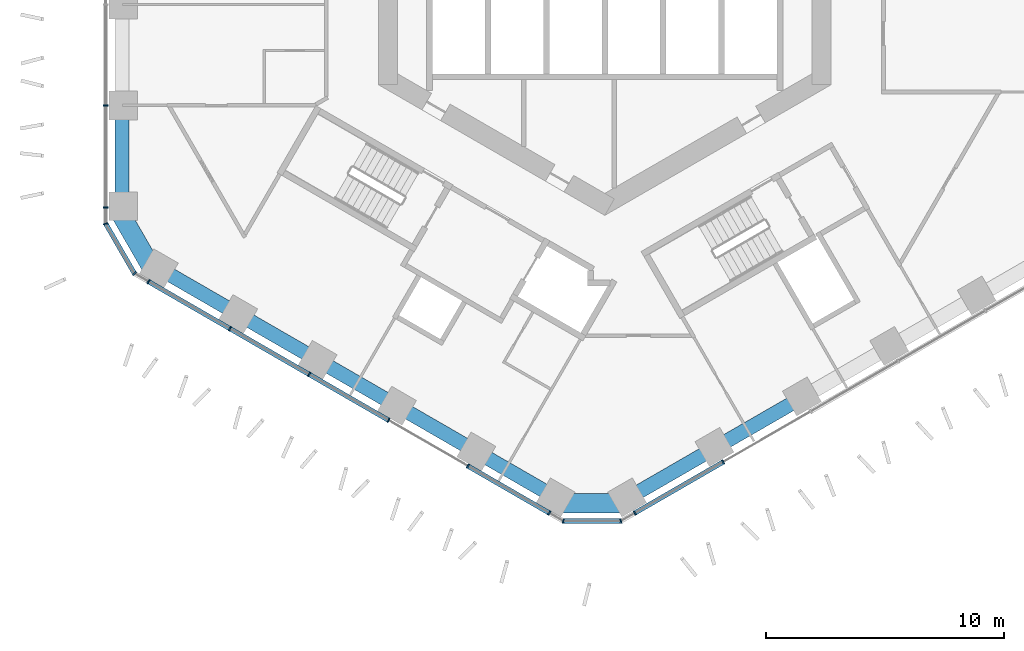
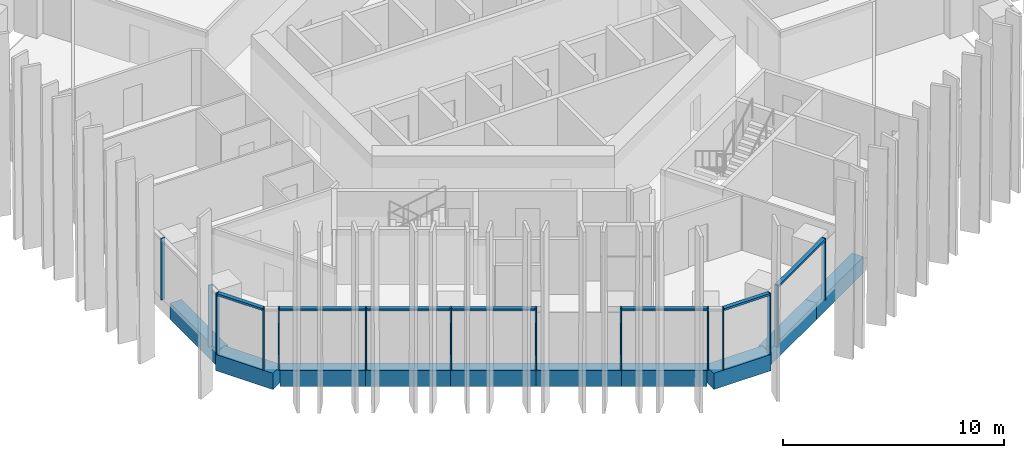
# One storey, part 2 of 19: 19 members, 10 beams, 5 elements without a shape of their own.
"""IFC4 building model written with IfcOpenShell, lengths in metres."""

from ifc_helpers import new_model, si_unit, direction, frame, origin, origin_2d, place, context, subcontext, project, spatial, rectangle, extrude, material, layer, layer_set, material_profile, profile_set, type_object, element, aggregate, save


model = new_model("IFC4")

# Units and contexts
model_context = context("Model", 3, precision=1e-05, world=origin(), true_north=direction((0.0, 1.0)))
body_context = subcontext(model_context, "Body", "Model", "MODEL_VIEW")
ifc_project = project(units=[si_unit("LENGTHUNIT", "METRE"), si_unit("AREAUNIT", "SQUARE_METRE"), si_unit("VOLUMEUNIT", "CUBIC_METRE"), si_unit("PLANEANGLEUNIT", "RADIAN"), si_unit("MASSUNIT", "GRAM", prefix="KILO")], contexts=[model_context])

# Site, building, storey
site_placement = place(None, origin())
site = spatial("IfcSite", under=ifc_project, at=site_placement, CompositionType="ELEMENT")
building_placement = place(site_placement, origin())
building = spatial("IfcBuilding", under=site, at=building_placement, Name="Ayvan Gate Tower", CompositionType="ELEMENT")
storey_placement = place(building_placement, frame((0.0, 0.0, 56.10009765625)))
storey = spatial("IfcBuildingStorey", under=building, at=storey_placement, Name="L14", CompositionType="ELEMENT", Elevation=56.10009765625)

# Beams
ifc_material_1 = material(Name="Concrete C40/50", Category="concrete")
ifc_material_profile_1 = material_profile(ifc_material_1, rectangle(XDim=0.800048828125, YDim=0.89990234375, at=origin_2d()), Name="RC 800x900")
ifc_profile_set_1 = profile_set([ifc_material_profile_1], Name="Concrete C40/50")
beam_type_1 = type_object("IfcBeamType", Name="Corner spandrel beam RC 800x900 C40/50", PredefinedType="BEAM", material=ifc_profile_set_1)
for number, where, z_axis, x_axis, name in (
    (1, (-20.455078125, -10.67822265625, -0.800048828125), (0.499990139034, -0.866031096941, 0.0), (0.866031096941, 0.499990139034, 0.0), "SB-L14-24"),
    (2, (-2.020263671875, -23.0537109375, -0.800048828125), (1.0, 0.0, 0.0), (0.0, 1.0, 0.0), "SB-L14-30"),
):
    element("IfcBeam", number, at=place(storey_placement, frame(where, z_axis=z_axis, x_axis=x_axis)), inside=storey, type_object=beam_type_1, Name=name, PredefinedType="BEAM", context=body_context, shape_type="SweptSolid", body=[
        extrude(rectangle(XDim=0.800048828125, YDim=0.89990234375, at=origin_2d()), origin(), (0.0, 0.0, 1.0), 3.0),
    ])
ifc_material_profile_2 = material_profile(ifc_material_1, rectangle(XDim=0.60009765625, YDim=0.89990234375, at=origin_2d()), Name="RC 600x900")
ifc_profile_set_2 = profile_set([ifc_material_profile_2], Name="Concrete C40/50")
beam_type_2 = type_object("IfcBeamType", Name="Spandrel beam RC 600x900 C40/50", PredefinedType="BEAM", material=ifc_profile_set_2)
beam_1_placement = place(storey_placement, frame((-20.264404296875, -6.341064453125, -0.800048828125), z_axis=(0.0, -1.0, 0.0), x_axis=(1.0, 0.0, 0.0)))
element("IfcBeam", 3, at=beam_1_placement, inside=storey, type_object=beam_type_2, Name="SB-L14-23", PredefinedType="BEAM", context=body_context, shape_type="SweptSolid", body=[
    extrude(rectangle(XDim=0.60009765625, YDim=0.89990234375, at=origin_2d()), origin(), (0.0, 0.0, 1.0), 4.227294921875),
])
for number, where, z_axis, x_axis, name in (
    (4, (-18.764404296875, -13.166259765625, -0.800048828125), (0.866012107475, -0.500023029176, 0.0), (0.500023029176, 0.866012107475, 0.0), "SB-L14-25"),
    (5, (-15.41552734375, -15.099853515625, -0.800048828125), (0.866039445803, -0.499975677722, 0.0), (0.499975677722, 0.866039445803, 0.0), "SB-L14-26"),
    (6, (-12.066650390625, -17.033203125, -0.800048828125), (0.866012107475, -0.500023029176, 0.0), (0.500023029176, 0.866012107475, 0.0), "SB-L14-27"),
    (7, (-8.7177734375, -18.966796875, -0.800048828125), (0.866039445803, -0.499975677722, 0.0), (0.499975677722, 0.866039445803, 0.0), "SB-L14-28"),
):
    element("IfcBeam", number, at=place(storey_placement, frame(where, z_axis=z_axis, x_axis=x_axis)), inside=storey, type_object=beam_type_2, Name=name, PredefinedType="BEAM", context=body_context, shape_type="SweptSolid", body=[
        extrude(rectangle(XDim=0.60009765625, YDim=0.89990234375, at=origin_2d()), origin(), (0.0, 0.0, 1.0), 3.866943359375),
    ])
beam_2_placement = place(storey_placement, frame((-5.368896484375, -20.900146484375, -0.800048828125), z_axis=(0.865996321171, -0.50005036918, 0.0), x_axis=(0.50005036918, 0.865996321171, 0.0)))
element("IfcBeam", 8, at=beam_2_placement, inside=storey, type_object=beam_type_2, Name="SB-L14-29", PredefinedType="BEAM", context=body_context, shape_type="SweptSolid", body=[
    extrude(rectangle(XDim=0.60009765625, YDim=0.89990234375, at=origin_2d()), origin(), (0.0, 0.0, 1.0), 3.86669921875),
])
beam_3_placement = place(storey_placement, frame((0.979736328125, -22.833740234375, -0.800048828125), z_axis=(0.866024019333, 0.500002397932, 0.0), x_axis=(-0.500002397932, 0.866024019333, 0.0)))
element("IfcBeam", 9, at=beam_3_placement, inside=storey, type_object=beam_type_2, Name="SB-L14-31", PredefinedType="BEAM", context=body_context, shape_type="SweptSolid", body=[
    extrude(rectangle(XDim=0.60009765625, YDim=0.89990234375, at=origin_2d()), origin(), (0.0, 0.0, 1.0), 4.2275390625),
])
beam_4_placement = place(storey_placement, frame((4.640869140625, -20.719970703125, -0.800048828125), z_axis=(0.86603458896, 0.499984090472, 0.0), x_axis=(-0.499984090472, 0.86603458896, 0.0)))
element("IfcBeam", 10, at=beam_4_placement, inside=storey, type_object=beam_type_2, Name="SB-L14-32", PredefinedType="BEAM", context=body_context, shape_type="SweptSolid", body=[
    extrude(rectangle(XDim=0.60009765625, YDim=0.89990234375, at=origin_2d()), origin(), (0.0, 0.0, 1.0), 4.227294921875),
])

# Curtain wall, members
ifc_material_2 = material(Name="Bronze anodised aluminium", Category="aluminium")
ifc_layer_1 = layer(ifc_material_2, 0.199951171875)
ifc_layer_set_1 = layer_set([ifc_layer_1], Name="Bronze anodised aluminium")
curtain_wall_type_1 = type_object("IfcCurtainWallType", Name="Stick curtain wall CW-1", PredefinedType="NOTDEFINED", material=ifc_layer_set_1)
curtain_wall_1_placement = place(storey_placement, origin())
curtain_wall_1 = element("IfcCurtainWall", 11, at=curtain_wall_1_placement, inside=storey, type_object=curtain_wall_type_1, Name="Stick curtain wall CW-1 L14", PredefinedType="NOTDEFINED")
ifc_material_profile_3 = material_profile(ifc_material_2, rectangle(XDim=0.199951171875, YDim=0.06005859375, at=origin_2d()), Name="Stick curtain wall CW-1 mullion 200 x 60")
ifc_profile_set_3 = profile_set([ifc_material_profile_3], Name="Bronze anodised aluminium")
member_type_1 = type_object("IfcMemberType", Name="Stick curtain wall CW-1 mullion 200 x 60", PredefinedType="MULLION", material=ifc_profile_set_3)
member_1_placement = place(storey_placement, frame((-20.950439453125, -6.3564453125, 0.0), z_axis=(0.0, 0.0, 1.0), x_axis=(-1.0, 0.0, 0.0)))
member_1 = element("IfcMember", 12, at=member_1_placement, type_object=member_type_1, Name="CW-1 mullion 5", PredefinedType="MULLION", context=body_context, shape_type="SweptSolid", body=[
    extrude(rectangle(XDim=0.199951171875, YDim=0.06005859375, at=origin_2d()), origin(), (0.0, 0.0, 1.0), 3.39990234375),
])
member_2_placement = place(storey_placement, frame((-20.950439453125, -10.638427734375, 0.0), z_axis=(0.0, 0.0, 1.0), x_axis=(-1.0, 0.0, 0.0)))
member_2 = element("IfcMember", 13, at=member_2_placement, type_object=member_type_1, Name="CW-1 mullion 6", PredefinedType="MULLION", context=body_context, shape_type="SweptSolid", body=[
    extrude(rectangle(XDim=0.199951171875, YDim=0.06005859375, at=origin_2d()), origin(), (0.0, 0.0, 1.0), 3.39990234375),
])
aggregate(curtain_wall_1, [member_1, member_2])

curtain_wall_2_placement = place(storey_placement, origin())
curtain_wall_2 = element("IfcCurtainWall", 14, at=curtain_wall_2_placement, inside=storey, type_object=curtain_wall_type_1, Name="Stick curtain wall CW-1 L14", PredefinedType="NOTDEFINED")
member_3_placement = place(storey_placement, frame((-19.154296875, -13.74951171875, 0.0), z_axis=(0.0, 0.0, 1.0), x_axis=(-0.5, -0.866025403784, 0.0)))
member_3 = element("IfcMember", 15, at=member_3_placement, type_object=member_type_1, Name="CW-1 mullion 1", PredefinedType="MULLION", context=body_context, shape_type="SweptSolid", body=[
    extrude(rectangle(XDim=0.199951171875, YDim=0.06005859375, at=origin_2d()), origin(), (0.0, 0.0, 1.0), 3.39990234375),
])
member_4_placement = place(storey_placement, frame((-15.739501953125, -15.720947265625, 0.0), z_axis=(0.0, 0.0, 1.0), x_axis=(-0.5, -0.866025403784, 0.0)))
member_4 = element("IfcMember", 16, at=member_4_placement, type_object=member_type_1, Name="CW-1 mullion 2", PredefinedType="MULLION", context=body_context, shape_type="SweptSolid", body=[
    extrude(rectangle(XDim=0.199951171875, YDim=0.06005859375, at=origin_2d()), origin(), (0.0, 0.0, 1.0), 3.39990234375),
])
member_5_placement = place(storey_placement, frame((-12.407958984375, -17.64453125, 0.0), z_axis=(0.0, 0.0, 1.0), x_axis=(-0.5, -0.866025403784, 0.0)))
member_5 = element("IfcMember", 17, at=member_5_placement, type_object=member_type_1, Name="CW-1 mullion 3", PredefinedType="MULLION", context=body_context, shape_type="SweptSolid", body=[
    extrude(rectangle(XDim=0.199951171875, YDim=0.06005859375, at=origin_2d()), origin(), (0.0, 0.0, 1.0), 3.39990234375),
])
member_6_placement = place(storey_placement, frame((-9.076416015625, -19.568115234375, 0.0), z_axis=(0.0, 0.0, 1.0), x_axis=(-0.5, -0.866025403784, 0.0)))
member_6 = element("IfcMember", 18, at=member_6_placement, type_object=member_type_1, Name="CW-1 mullion 4", PredefinedType="MULLION", context=body_context, shape_type="SweptSolid", body=[
    extrude(rectangle(XDim=0.199951171875, YDim=0.06005859375, at=origin_2d()), origin(), (0.0, 0.0, 1.0), 3.39990234375),
])
member_7_placement = place(storey_placement, frame((-5.744873046875, -21.491455078125, 0.0), z_axis=(0.0, 0.0, 1.0), x_axis=(-0.5, -0.866025403784, 0.0)))
member_7 = element("IfcMember", 19, at=member_7_placement, type_object=member_type_1, Name="CW-1 mullion 5", PredefinedType="MULLION", context=body_context, shape_type="SweptSolid", body=[
    extrude(rectangle(XDim=0.199951171875, YDim=0.06005859375, at=origin_2d()), origin(), (0.0, 0.0, 1.0), 3.39990234375),
])
member_8_placement = place(storey_placement, frame((-2.330322265625, -23.462890625, 0.0), z_axis=(0.0, 0.0, 1.0), x_axis=(-0.5, -0.866025403784, 0.0)))
member_8 = element("IfcMember", 20, at=member_8_placement, type_object=member_type_1, Name="CW-1 mullion 6", PredefinedType="MULLION", context=body_context, shape_type="SweptSolid", body=[
    extrude(rectangle(XDim=0.199951171875, YDim=0.06005859375, at=origin_2d()), origin(), (0.0, 0.0, 1.0), 3.39990234375),
])

curtain_wall_3_placement = place(storey_placement, origin())
curtain_wall_3 = element("IfcCurtainWall", 21, at=curtain_wall_3_placement, inside=storey, type_object=curtain_wall_type_1, Name="Stick curtain wall CW-1 L14", PredefinedType="NOTDEFINED")
member_9_placement = place(storey_placement, frame((1.261962890625, -23.462890625, 0.0), z_axis=(0.0, 0.0, 1.0), x_axis=(0.5, -0.866025403784, 0.0)))
member_9 = element("IfcMember", 22, at=member_9_placement, type_object=member_type_1, Name="CW-1 mullion 1", PredefinedType="MULLION", context=body_context, shape_type="SweptSolid", body=[
    extrude(rectangle(XDim=0.199951171875, YDim=0.06005859375, at=origin_2d()), origin(), (0.0, 0.0, 1.0), 3.39990234375),
])
member_10_placement = place(storey_placement, frame((4.970458984375, -21.32177734375, 0.0), z_axis=(0.0, 0.0, 1.0), x_axis=(0.5, -0.866025403784, 0.0)))
member_10 = element("IfcMember", 23, at=member_10_placement, type_object=member_type_1, Name="CW-1 mullion 2", PredefinedType="MULLION", context=body_context, shape_type="SweptSolid", body=[
    extrude(rectangle(XDim=0.199951171875, YDim=0.06005859375, at=origin_2d()), origin(), (0.0, 0.0, 1.0), 3.39990234375),
])

# Member
ifc_material_profile_4 = material_profile(ifc_material_2, rectangle(XDim=0.199951171875, YDim=0.1201171875, at=origin_2d()), Name="Stick curtain wall CW-1 transom 200 x 120")
ifc_profile_set_4 = profile_set([ifc_material_profile_4], Name="Bronze anodised aluminium")
member_type_2 = type_object("IfcMemberType", Name="Stick curtain wall CW-1 transom 200 x 120", PredefinedType="USERDEFINED", material=ifc_profile_set_4)
member_11_placement = place(storey_placement, frame((-19.154296875, -13.74951171875, 3.33984375), z_axis=(0.866027613664, -0.499996172356, 0.0), x_axis=(0.499996172356, 0.866027613664, 0.0)))
member_11 = element("IfcMember", 24, at=member_11_placement, type_object=member_type_2, Name="CW-1 transom 1", ObjectType="TRANSOM", PredefinedType="USERDEFINED", context=body_context, shape_type="SweptSolid", body=[
    extrude(rectangle(XDim=0.199951171875, YDim=0.1201171875, at=origin_2d()), origin(), (0.0, 0.0, 1.0), 11.60693359375),
])

member_12_placement = place(storey_placement, frame((-5.71875, -21.506591796875, 3.33984375), z_axis=(0.866026603062, -0.499997922785, 0.0), x_axis=(0.499997922785, 0.866026603062, 0.0)))
member_12 = element("IfcMember", 25, at=member_12_placement, type_object=member_type_2, Name="CW-1 transom 2", ObjectType="TRANSOM", PredefinedType="USERDEFINED", context=body_context, shape_type="SweptSolid", body=[
    extrude(rectangle(XDim=0.199951171875, YDim=0.1201171875, at=origin_2d()), origin(), (0.0, 0.0, 1.0), 3.91259765625),
])

aggregate(curtain_wall_2, [member_3, member_4, member_5, member_6, member_7, member_8, member_11, member_12])

member_13_placement = place(storey_placement, frame((1.261962890625, -23.462890625, 3.33984375), z_axis=(0.866029732576, 0.499992502239, 0.0), x_axis=(-0.499992502239, 0.866029732576, 0.0)))
member_13 = element("IfcMember", 26, at=member_13_placement, type_object=member_type_2, Name="CW-1 transom 1", ObjectType="TRANSOM", PredefinedType="USERDEFINED", context=body_context, shape_type="SweptSolid", body=[
    extrude(rectangle(XDim=0.199951171875, YDim=0.1201171875, at=origin_2d()), origin(), (0.0, 0.0, 1.0), 4.251953125),
])

aggregate(curtain_wall_3, [member_9, member_10, member_13])

# Curtain wall, members
ifc_layer_2 = layer(ifc_material_2, 0.199951171875)
ifc_layer_set_2 = layer_set([ifc_layer_2], Name="Bronze anodised aluminium")
curtain_wall_type_2 = type_object("IfcCurtainWallType", Name="Stick curtain wall CW-6", PredefinedType="NOTDEFINED", material=ifc_layer_set_2)
curtain_wall_4_placement = place(storey_placement, origin())
curtain_wall_4 = element("IfcCurtainWall", 27, at=curtain_wall_4_placement, inside=storey, type_object=curtain_wall_type_2, Name="Stick curtain wall CW-6 L14", PredefinedType="NOTDEFINED")
ifc_material_profile_5 = material_profile(ifc_material_2, rectangle(XDim=0.199951171875, YDim=0.050048828125, at=origin_2d()), Name="Stick curtain wall CW-6 mullion 200 x 50")
ifc_profile_set_5 = profile_set([ifc_material_profile_5], Name="Bronze anodised aluminium")
member_type_3 = type_object("IfcMemberType", Name="Stick curtain wall CW-6 mullion 200 x 50", PredefinedType="MULLION", material=ifc_profile_set_5)
member_14_placement = place(storey_placement, frame((-20.950439453125, -11.318603515625, 0.0), z_axis=(0.0, 0.0, 1.0), x_axis=(-0.965925826289, -0.258819045103, 0.0)))
member_14 = element("IfcMember", 28, at=member_14_placement, type_object=member_type_3, Name="CW-6 mullion 2", PredefinedType="MULLION", context=body_context, shape_type="SweptSolid", body=[
    extrude(rectangle(XDim=0.199951171875, YDim=0.050048828125, at=origin_2d()), origin(), (0.0, 0.0, 1.0), 3.39990234375),
])
member_15_placement = place(storey_placement, frame((-19.7431640625, -13.409423828125, 0.0), z_axis=(0.0, 0.0, 1.0), x_axis=(-0.707106781187, -0.707106781187, 0.0)))
member_15 = element("IfcMember", 29, at=member_15_placement, type_object=member_type_3, Name="CW-6 mullion 3", PredefinedType="MULLION", context=body_context, shape_type="SweptSolid", body=[
    extrude(rectangle(XDim=0.199951171875, YDim=0.050048828125, at=origin_2d()), origin(), (0.0, 0.0, 1.0), 3.39990234375),
])

curtain_wall_5_placement = place(storey_placement, origin())
curtain_wall_5 = element("IfcCurtainWall", 30, at=curtain_wall_5_placement, inside=storey, type_object=curtain_wall_type_2, Name="Stick curtain wall CW-6 L14", PredefinedType="NOTDEFINED")
member_16_placement = place(storey_placement, frame((-1.741455078125, -23.802978515625, 0.0), z_axis=(0.0, 0.0, 1.0), x_axis=(-0.258819045103, -0.965925826289, 0.0)))
member_16 = element("IfcMember", 31, at=member_16_placement, type_object=member_type_3, Name="CW-6 mullion 2", PredefinedType="MULLION", context=body_context, shape_type="SweptSolid", body=[
    extrude(rectangle(XDim=0.199951171875, YDim=0.050048828125, at=origin_2d()), origin(), (0.0, 0.0, 1.0), 3.39990234375),
])
member_17_placement = place(storey_placement, frame((0.673095703125, -23.802978515625, 0.0), z_axis=(0.0, 0.0, 1.0), x_axis=(0.258819045103, -0.965925826289, 0.0)))
member_17 = element("IfcMember", 32, at=member_17_placement, type_object=member_type_3, Name="CW-6 mullion 3", PredefinedType="MULLION", context=body_context, shape_type="SweptSolid", body=[
    extrude(rectangle(XDim=0.199951171875, YDim=0.050048828125, at=origin_2d()), origin(), (0.0, 0.0, 1.0), 3.39990234375),
])

# Member
ifc_material_profile_6 = material_profile(ifc_material_2, rectangle(XDim=0.199951171875, YDim=0.1201171875, at=origin_2d()), Name="Stick curtain wall CW-6 transom 200 x 120")
ifc_profile_set_6 = profile_set([ifc_material_profile_6], Name="Bronze anodised aluminium")
member_type_4 = type_object("IfcMemberType", Name="Stick curtain wall CW-6 transom 200 x 120", PredefinedType="USERDEFINED", material=ifc_profile_set_6)
member_18_placement = place(storey_placement, frame((-20.93798828125, -11.340087890625, 3.33984375), z_axis=(0.500014398087, -0.866017090885, 0.0), x_axis=(0.866017090885, 0.500014398087, 0.0)))
member_18 = element("IfcMember", 33, at=member_18_placement, type_object=member_type_4, Name="CW-6 transom 2", ObjectType="TRANSOM", PredefinedType="USERDEFINED", context=body_context, shape_type="SweptSolid", body=[
    extrude(rectangle(XDim=0.199951171875, YDim=0.1201171875, at=origin_2d()), origin(), (0.0, 0.0, 1.0), 2.36474609375),
])

aggregate(curtain_wall_4, [member_14, member_15, member_18])

member_19_placement = place(storey_placement, frame((-1.71630859375, -23.802978515625, 3.33984375), z_axis=(1.0, 0.0, 0.0), x_axis=(0.0, 1.0, 0.0)))
member_19 = element("IfcMember", 34, at=member_19_placement, type_object=member_type_4, Name="CW-6 transom 2", ObjectType="TRANSOM", PredefinedType="USERDEFINED", context=body_context, shape_type="SweptSolid", body=[
    extrude(rectangle(XDim=0.199951171875, YDim=0.1201171875, at=origin_2d()), origin(), (0.0, 0.0, 1.0), 2.364501953125),
])

aggregate(curtain_wall_5, [member_16, member_17, member_19])

save(model, "model.ifc")
